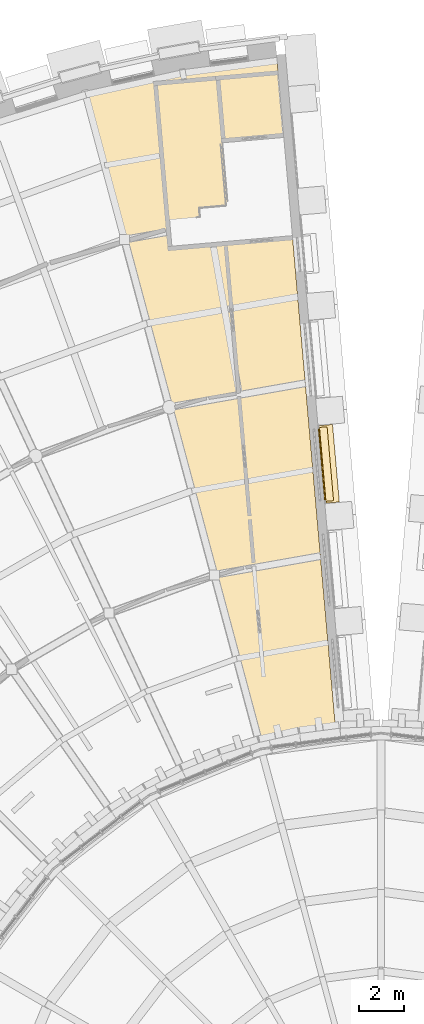
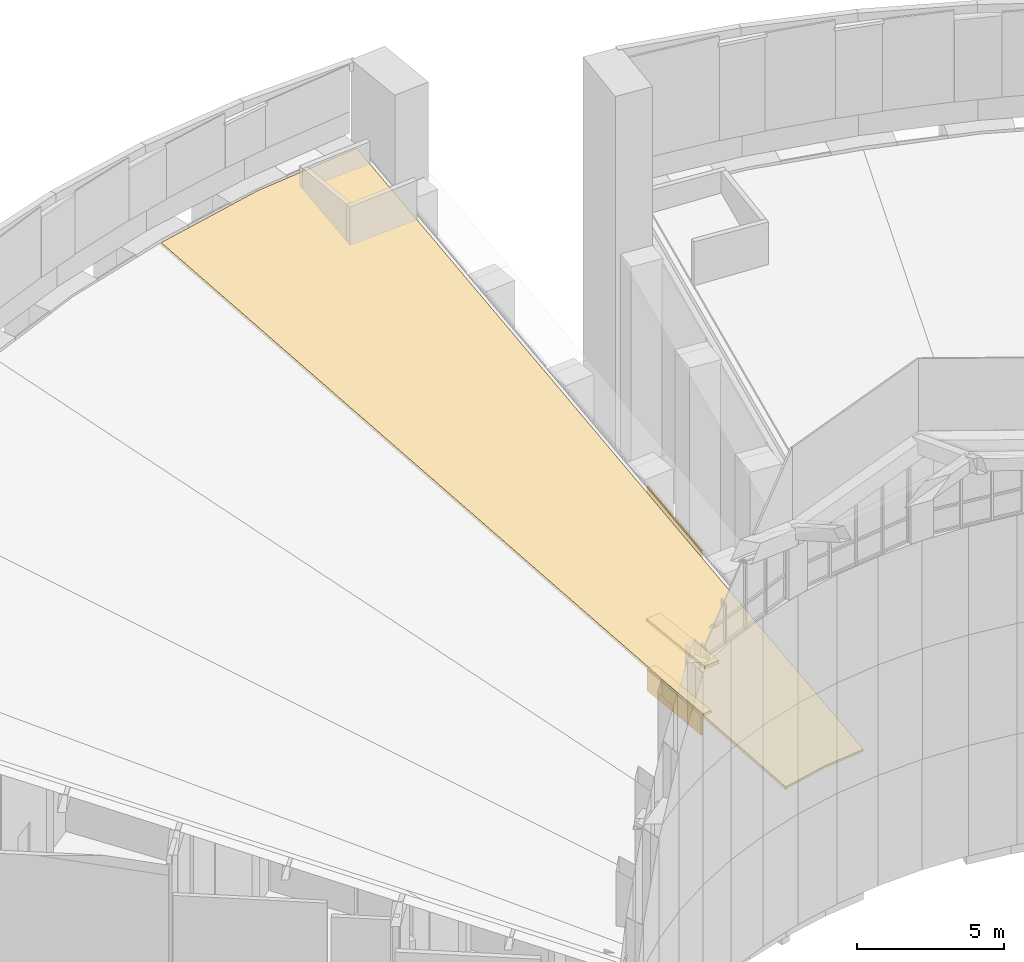
# One storey, part 76 of 82: 5 coverings.
"""IFC4 building model written with IfcOpenShell, lengths in metres."""

from ifc_helpers import new_model, si_unit, direction, frame, origin, origin_2d, place, context, subcontext, project, spatial, polyline, rectangle, outline, extrude, material, layer, layer_set, type_object, element, save


model = new_model("IFC4")

# Units and contexts
model_context = context("Model", 3, precision=1e-05, world=origin(), true_north=direction((0.0, 1.0)))
body_context = subcontext(model_context, "Body", "Model", "MODEL_VIEW")
ifc_project = project(units=[si_unit("LENGTHUNIT", "METRE"), si_unit("AREAUNIT", "SQUARE_METRE"), si_unit("VOLUMEUNIT", "CUBIC_METRE"), si_unit("PLANEANGLEUNIT", "RADIAN"), si_unit("MASSUNIT", "GRAM", prefix="KILO")], contexts=[model_context])

# Site, building, storey
site_placement = place(None, origin())
site = spatial("IfcSite", under=ifc_project, at=site_placement, CompositionType="ELEMENT")
building_placement = place(site_placement, origin())
building = spatial("IfcBuilding", under=site, at=building_placement, Name="Volute Hill Aquarium", CompositionType="ELEMENT")
storey_placement = place(building_placement, frame((0.0, 0.0, 13.800048828125)))
storey = spatial("IfcBuildingStorey", under=building, at=storey_placement, Name="L04", CompositionType="ELEMENT", Elevation=13.800048828125)

# Coverings
ifc_material_1 = material(Name="Precast concrete C40/50", Category="concrete")
ifc_layer_1 = layer(ifc_material_1, 0.050048828125)
ifc_layer_set_1 = layer_set([ifc_layer_1], Name="End wall precast infill panel C40/50 50")
covering_type_1 = type_object("IfcCoveringType", Name="End wall precast infill panel C40/50 50", PredefinedType="CLADDING", material=ifc_layer_set_1)
covering_1_placement = place(storey_placement, frame((-2.469970703125, 31.099853515625, 0.0), z_axis=(0.996195119416, 0.087150926853, 0.0), x_axis=(-0.087150926853, 0.996195119416, 0.0)))
element("IfcCovering", 1, at=covering_1_placement, inside=storey, type_object=covering_type_1, Name="End wall panel EWP S6A L04 3", PredefinedType="CLADDING", context=body_context, shape_type="SweptSolid", body=[
    extrude(outline(polyline([(0.0, 0.0), (3.2131533993569894, 0.0), (3.2131533993569894, 0.89990234375), (0.0, 0.89990234375), (0.0, 0.0)])), origin(), (0.0, 0.0, -1.0), 0.050048828125),
])
covering_2_placement = place(storey_placement, frame((-2.469970703125, 31.099853515625, 2.800048828125), z_axis=(0.996195119416, 0.087150926853, 0.0), x_axis=(-0.087150926853, 0.996195119416, 0.0)))
element("IfcCovering", 2, at=covering_2_placement, inside=storey, type_object=covering_type_1, Name="End wall panel EWP S6A L04 3", PredefinedType="CLADDING", context=body_context, shape_type="SweptSolid", body=[
    extrude(outline(polyline([(0.0, 0.0), (3.2131533993569894, 0.0), (3.2131533993569894, 5.689208984375), (0.0, 4.863037109375), (0.0, 0.0)])), origin(), (0.0, 0.0, -1.0), 0.050048828125),
])
ifc_material_2 = material(Name="Precast concrete C40/50", Category="concrete")
ifc_layer_2 = layer(ifc_material_2, 0.1201171875)
ifc_layer_set_2 = layer_set([ifc_layer_2], Name="End wall window head blade precast C40/50 600x120")
covering_type_2 = type_object("IfcCoveringType", Name="End wall window head blade precast C40/50 600x120", PredefinedType="CLADDING", material=ifc_layer_set_2)
covering_3_placement = place(storey_placement, frame((-2.31103515625, 32.726318359375, 2.7998046875), z_axis=(0.0, 0.0, 1.0), x_axis=(-0.08715511842, 0.996194752713, 0.0)))
element("IfcCovering", 3, at=covering_3_placement, inside=storey, type_object=covering_type_2, Name="End wall window head blade EWB S6A L04 3.1", PredefinedType="CLADDING", context=body_context, shape_type="SweptSolid", body=[
    extrude(rectangle(XDim=3.473388671875, YDim=0.60009765625, at=origin_2d()), origin(), (0.0, 0.0, 1.0), 0.1201171875),
])
ifc_material_3 = material(Name="Precast concrete C40/50", Category="concrete")
ifc_layer_3 = layer(ifc_material_3, 0.10009765625)
ifc_layer_set_3 = layer_set([ifc_layer_3], Name="End wall window sill precast C40/50 350x100")
covering_type_3 = type_object("IfcCoveringType", Name="End wall window sill precast C40/50 350x100", PredefinedType="CLADDING", material=ifc_layer_set_3)
covering_4_placement = place(storey_placement, frame((-2.435546875, 32.715576171875, 0.7998046875), z_axis=(0.0, 0.0, 1.0), x_axis=(-0.08715511842, 0.996194752713, 0.0)))
element("IfcCovering", 4, at=covering_4_placement, inside=storey, type_object=covering_type_3, Name="End wall window sill EWS S6A L04 3.1", PredefinedType="CLADDING", context=body_context, shape_type="SweptSolid", body=[
    extrude(rectangle(XDim=3.313232421875, YDim=0.35009765625, at=origin_2d()), origin(), (0.0, 0.0, 1.0), 0.10009765625),
])
ifc_material_4 = material(Name="Photovoltaic modules")
ifc_layer_4 = layer(ifc_material_4, 0.1201171875)
ifc_layer_set_4 = layer_set([ifc_layer_4], Name="Photovoltaic roofing array 120")
covering_type_4 = type_object("IfcCoveringType", Name="Photovoltaic roofing array 120", PredefinedType="ROOFING", material=ifc_layer_set_4)
covering_5_placement = place(storey_placement, frame((-5.435302734375, 20.284423828125, 5.423828125), z_axis=(0.043380769055, -0.246085481124, 0.968276843086), x_axis=(0.976240483255, 0.216397195961, 0.011259326517)))
element("IfcCovering", 5, at=covering_5_placement, inside=storey, type_object=covering_type_4, Name="Photovoltaic roof RF S6 1", PredefinedType="ROOFING", context=body_context, shape_type="SweptSolid", body=[
    extrude(outline(polyline([(0.0, 0.0), (1.832348659620706, 1.9081958235744878e-17), (3.4575020984167057, -0.1467033777174833), (7.472307380217251, 30.67108396946355), (3.231704073211782, 31.05421945627598), (-1.2265381715863488, 31.054103342173136), (0.0, 0.0)])), origin(), (0.0, 0.0, -1.0), 0.1201171875),
])

save(model, "model.ifc")
